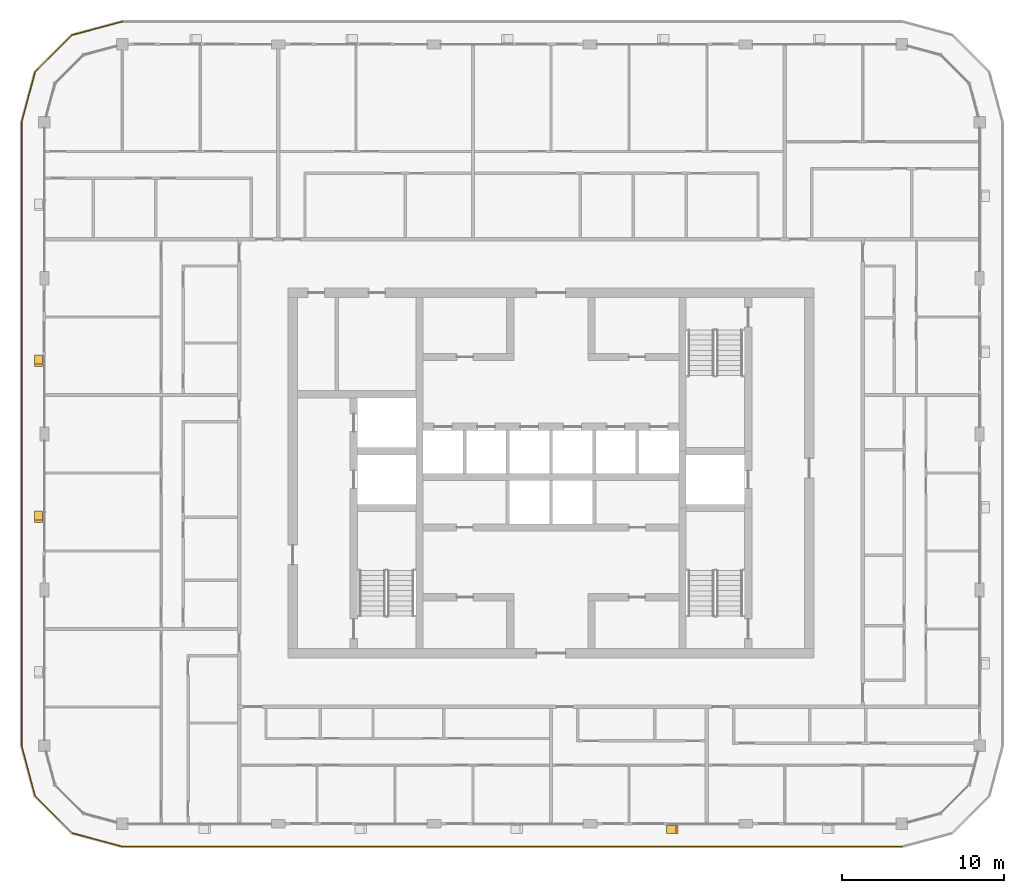
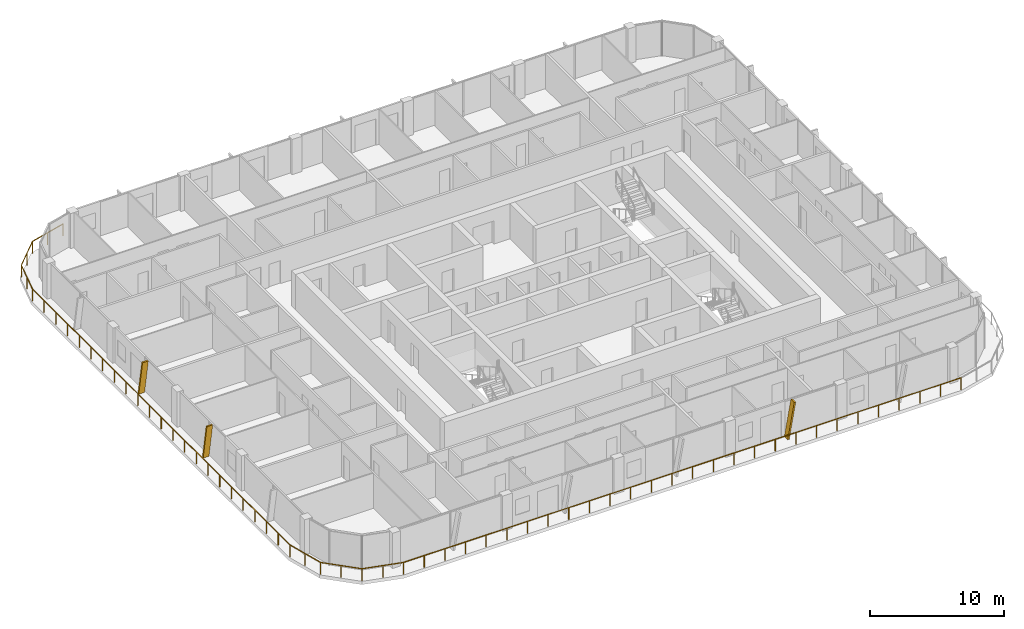
# One storey, part 17 of 21: 3 shading devices, 1 railing.
"""IFC4 building model written with IfcOpenShell, lengths in metres."""

from ifc_helpers import new_model, si_unit, direction, frame, origin, origin_2d, place, context, subcontext, project, spatial, polyline, circle, outline, extrude, material, type_object, element, save


model = new_model("IFC4")

# Units and contexts
model_context = context("Model", 3, precision=1e-05, world=origin(), true_north=direction((0.0, 1.0)))
body_context = subcontext(model_context, "Body", "Model", "MODEL_VIEW")
ifc_project = project(units=[si_unit("LENGTHUNIT", "METRE"), si_unit("AREAUNIT", "SQUARE_METRE"), si_unit("VOLUMEUNIT", "CUBIC_METRE"), si_unit("PLANEANGLEUNIT", "RADIAN"), si_unit("MASSUNIT", "GRAM", prefix="KILO")], contexts=[model_context])

# Site, building, storey
site_placement = place(None, origin())
site = spatial("IfcSite", under=ifc_project, at=site_placement, CompositionType="ELEMENT")
building_placement = place(site_placement, origin())
building = spatial("IfcBuilding", under=site, at=building_placement, Name="Madar Terraces", CompositionType="ELEMENT")
storey_placement = place(building_placement, frame((0.0, 0.0, 242.199951171875)))
storey = spatial("IfcBuildingStorey", under=building, at=storey_placement, Name="L63", CompositionType="ELEMENT", Elevation=242.199951171875)

# Railing
ifc_material_1 = material(Name="Glass, safety glazing, with stainless steel posts", Category="steel")
railing_type = type_object("IfcRailingType", Name="Balcony glass guard 1100", PredefinedType="GUARDRAIL", material=ifc_material_1)
railing_placement = place(storey_placement, frame((4.800048828125, 54.199951171875, 0.0)))
element("IfcRailing", 1, at=railing_placement, inside=storey, type_object=railing_type, Name="Balcony guard", PredefinedType="GUARDRAIL", context=body_context, shape_type="SweptSolid", body=[
    extrude(circle(Radius=0.02392578125, at=origin_2d()), frame((0.0, 0.0, 1.076171875), z_axis=(-0.9659337912, -0.258789317819, 0.0), x_axis=(0.258789317819, -0.9659337912, 0.0)), (0.0, 0.0, 1.0), 3.20947265625),
    extrude(circle(Radius=0.02392578125, at=origin_2d()), frame((-3.10009765625, -0.83056640625, 1.076171875), z_axis=(-0.707106781187, -0.707106781187, 0.0), x_axis=(0.707106781187, -0.707106781187, 0.0)), (0.0, 0.0, 1.0), 3.209228515625),
    extrude(circle(Radius=0.02392578125, at=origin_2d()), frame((-5.369384765625, -3.099853515625, 1.076171875), z_axis=(-0.258789317819, -0.9659337912, 0.0), x_axis=(0.9659337912, -0.258789317819, 0.0)), (0.0, 0.0, 1.0), 3.20947265625),
    extrude(circle(Radius=0.02392578125, at=origin_2d()), frame((-6.199951171875, -6.199951171875, 1.076171875), z_axis=(0.0, -1.0, 0.0), x_axis=(1.0, 0.0, 0.0)), (0.0, 0.0, 1.0), 38.39990234375),
    extrude(circle(Radius=0.02392578125, at=origin_2d()), frame((-6.199951171875, -44.599853515625, 1.076171875), z_axis=(0.258789317819, -0.9659337912, 0.0), x_axis=(0.9659337912, 0.258789317819, 0.0)), (0.0, 0.0, 1.0), 3.20947265625),
    extrude(circle(Radius=0.02392578125, at=origin_2d()), frame((-5.369384765625, -47.699951171875, 1.076171875), z_axis=(0.707106781187, -0.707106781187, 0.0), x_axis=(0.707106781187, 0.707106781187, 0.0)), (0.0, 0.0, 1.0), 3.209228515625),
    extrude(circle(Radius=0.02392578125, at=origin_2d()), frame((-3.10009765625, -49.96923828125, 1.076171875), z_axis=(0.965914773555, -0.258860290944, 0.0), x_axis=(0.258860290944, 0.965914773555, 0.0)), (0.0, 0.0, 1.0), 3.20947265625),
    extrude(circle(Radius=0.02392578125, at=origin_2d()), frame((0.0, -50.800048828125, 1.076171875), z_axis=(1.0, 0.0, 0.0), x_axis=(0.0, 1.0, 0.0)), (0.0, 0.0, 1.0), 48.0),
    extrude(circle(Radius=0.02099609375, at=origin_2d()), origin(), (0.0, 0.0, 1.0), 1.052001953125),
    extrude(circle(Radius=0.02099609375, at=origin_2d()), frame((-1.550048828125, -0.415283203125, 0.0)), (0.0, 0.0, 1.0), 1.052001953125),
    extrude(circle(Radius=0.02099609375, at=origin_2d()), frame((-3.10009765625, -0.83056640625, 0.0)), (0.0, 0.0, 1.0), 1.052001953125),
    extrude(circle(Radius=0.02099609375, at=origin_2d()), frame((-4.23486328125, -1.96533203125, 0.0)), (0.0, 0.0, 1.0), 1.052001953125),
    extrude(circle(Radius=0.02099609375, at=origin_2d()), frame((-5.369384765625, -3.099853515625, 0.0)), (0.0, 0.0, 1.0), 1.052001953125),
    extrude(circle(Radius=0.02099609375, at=origin_2d()), frame((-5.78466796875, -4.64990234375, 0.0)), (0.0, 0.0, 1.0), 1.052001953125),
    extrude(circle(Radius=0.02099609375, at=origin_2d()), frame((-6.199951171875, -6.199951171875, 0.0)), (0.0, 0.0, 1.0), 1.052001953125),
    extrude(circle(Radius=0.02099609375, at=origin_2d()), frame((-6.199951171875, -7.9453125, 0.0)), (0.0, 0.0, 1.0), 1.052001953125),
    extrude(circle(Radius=0.02099609375, at=origin_2d()), frame((-6.199951171875, -9.69091796875, 0.0)), (0.0, 0.0, 1.0), 1.052001953125),
    extrude(circle(Radius=0.02099609375, at=origin_2d()), frame((-6.199951171875, -11.436279296875, 0.0)), (0.0, 0.0, 1.0), 1.052001953125),
    extrude(circle(Radius=0.02099609375, at=origin_2d()), frame((-6.199951171875, -13.181640625, 0.0)), (0.0, 0.0, 1.0), 1.052001953125),
    extrude(circle(Radius=0.02099609375, at=origin_2d()), frame((-6.199951171875, -14.92724609375, 0.0)), (0.0, 0.0, 1.0), 1.052001953125),
    extrude(circle(Radius=0.02099609375, at=origin_2d()), frame((-6.199951171875, -16.672607421875, 0.0)), (0.0, 0.0, 1.0), 1.052001953125),
    extrude(circle(Radius=0.02099609375, at=origin_2d()), frame((-6.199951171875, -18.418212890625, 0.0)), (0.0, 0.0, 1.0), 1.052001953125),
    extrude(circle(Radius=0.02099609375, at=origin_2d()), frame((-6.199951171875, -20.16357421875, 0.0)), (0.0, 0.0, 1.0), 1.052001953125),
    extrude(circle(Radius=0.02099609375, at=origin_2d()), frame((-6.199951171875, -21.908935546875, 0.0)), (0.0, 0.0, 1.0), 1.052001953125),
    extrude(circle(Radius=0.02099609375, at=origin_2d()), frame((-6.199951171875, -23.654541015625, 0.0)), (0.0, 0.0, 1.0), 1.052001953125),
    extrude(circle(Radius=0.02099609375, at=origin_2d()), frame((-6.199951171875, -25.39990234375, 0.0)), (0.0, 0.0, 1.0), 1.052001953125),
    extrude(circle(Radius=0.02099609375, at=origin_2d()), frame((-6.199951171875, -27.145263671875, 0.0)), (0.0, 0.0, 1.0), 1.052001953125),
    extrude(circle(Radius=0.02099609375, at=origin_2d()), frame((-6.199951171875, -28.890869140625, 0.0)), (0.0, 0.0, 1.0), 1.052001953125),
    extrude(circle(Radius=0.02099609375, at=origin_2d()), frame((-6.199951171875, -30.63623046875, 0.0)), (0.0, 0.0, 1.0), 1.052001953125),
    extrude(circle(Radius=0.02099609375, at=origin_2d()), frame((-6.199951171875, -32.381591796875, 0.0)), (0.0, 0.0, 1.0), 1.052001953125),
    extrude(circle(Radius=0.02099609375, at=origin_2d()), frame((-6.199951171875, -34.127197265625, 0.0)), (0.0, 0.0, 1.0), 1.052001953125),
    extrude(circle(Radius=0.02099609375, at=origin_2d()), frame((-6.199951171875, -35.87255859375, 0.0)), (0.0, 0.0, 1.0), 1.052001953125),
    extrude(circle(Radius=0.02099609375, at=origin_2d()), frame((-6.199951171875, -37.6181640625, 0.0)), (0.0, 0.0, 1.0), 1.052001953125),
    extrude(circle(Radius=0.02099609375, at=origin_2d()), frame((-6.199951171875, -39.363525390625, 0.0)), (0.0, 0.0, 1.0), 1.052001953125),
    extrude(circle(Radius=0.02099609375, at=origin_2d()), frame((-6.199951171875, -41.10888671875, 0.0)), (0.0, 0.0, 1.0), 1.052001953125),
    extrude(circle(Radius=0.02099609375, at=origin_2d()), frame((-6.199951171875, -42.8544921875, 0.0)), (0.0, 0.0, 1.0), 1.052001953125),
    extrude(circle(Radius=0.02099609375, at=origin_2d()), frame((-6.199951171875, -44.599853515625, 0.0)), (0.0, 0.0, 1.0), 1.052001953125),
    extrude(circle(Radius=0.02099609375, at=origin_2d()), frame((-5.78466796875, -46.14990234375, 0.0)), (0.0, 0.0, 1.0), 1.052001953125),
    extrude(circle(Radius=0.02099609375, at=origin_2d()), frame((-5.369384765625, -47.699951171875, 0.0)), (0.0, 0.0, 1.0), 1.052001953125),
    extrude(circle(Radius=0.02099609375, at=origin_2d()), frame((-4.23486328125, -48.83447265625, 0.0)), (0.0, 0.0, 1.0), 1.052001953125),
    extrude(circle(Radius=0.02099609375, at=origin_2d()), frame((-3.10009765625, -49.96923828125, 0.0)), (0.0, 0.0, 1.0), 1.052001953125),
    extrude(circle(Radius=0.02099609375, at=origin_2d()), frame((-1.550048828125, -50.384765625, 0.0)), (0.0, 0.0, 1.0), 1.052001953125),
    extrude(circle(Radius=0.02099609375, at=origin_2d()), frame((0.0, -50.800048828125, 0.0)), (0.0, 0.0, 1.0), 1.052001953125),
    extrude(circle(Radius=0.02099609375, at=origin_2d()), frame((1.77783203125, -50.800048828125, 0.0)), (0.0, 0.0, 1.0), 1.052001953125),
    extrude(circle(Radius=0.02099609375, at=origin_2d()), frame((3.5556640625, -50.800048828125, 0.0)), (0.0, 0.0, 1.0), 1.052001953125),
    extrude(circle(Radius=0.02099609375, at=origin_2d()), frame((5.333251953125, -50.800048828125, 0.0)), (0.0, 0.0, 1.0), 1.052001953125),
    extrude(circle(Radius=0.02099609375, at=origin_2d()), frame((7.111083984375, -50.800048828125, 0.0)), (0.0, 0.0, 1.0), 1.052001953125),
    extrude(circle(Radius=0.02099609375, at=origin_2d()), frame((8.888916015625, -50.800048828125, 0.0)), (0.0, 0.0, 1.0), 1.052001953125),
    extrude(circle(Radius=0.02099609375, at=origin_2d()), frame((10.666748046875, -50.800048828125, 0.0)), (0.0, 0.0, 1.0), 1.052001953125),
    extrude(circle(Radius=0.02099609375, at=origin_2d()), frame((12.4443359375, -50.800048828125, 0.0)), (0.0, 0.0, 1.0), 1.052001953125),
    extrude(circle(Radius=0.02099609375, at=origin_2d()), frame((14.22216796875, -50.800048828125, 0.0)), (0.0, 0.0, 1.0), 1.052001953125),
    extrude(circle(Radius=0.02099609375, at=origin_2d()), frame((16.0, -50.800048828125, 0.0)), (0.0, 0.0, 1.0), 1.052001953125),
    extrude(circle(Radius=0.02099609375, at=origin_2d()), frame((17.77783203125, -50.800048828125, 0.0)), (0.0, 0.0, 1.0), 1.052001953125),
    extrude(circle(Radius=0.02099609375, at=origin_2d()), frame((19.5556640625, -50.800048828125, 0.0)), (0.0, 0.0, 1.0), 1.052001953125),
    extrude(circle(Radius=0.02099609375, at=origin_2d()), frame((21.333251953125, -50.800048828125, 0.0)), (0.0, 0.0, 1.0), 1.052001953125),
    extrude(circle(Radius=0.02099609375, at=origin_2d()), frame((23.111083984375, -50.800048828125, 0.0)), (0.0, 0.0, 1.0), 1.052001953125),
    extrude(circle(Radius=0.02099609375, at=origin_2d()), frame((24.888916015625, -50.800048828125, 0.0)), (0.0, 0.0, 1.0), 1.052001953125),
    extrude(circle(Radius=0.02099609375, at=origin_2d()), frame((26.666748046875, -50.800048828125, 0.0)), (0.0, 0.0, 1.0), 1.052001953125),
    extrude(circle(Radius=0.02099609375, at=origin_2d()), frame((28.4443359375, -50.800048828125, 0.0)), (0.0, 0.0, 1.0), 1.052001953125),
    extrude(circle(Radius=0.02099609375, at=origin_2d()), frame((30.22216796875, -50.800048828125, 0.0)), (0.0, 0.0, 1.0), 1.052001953125),
    extrude(circle(Radius=0.02099609375, at=origin_2d()), frame((32.0, -50.800048828125, 0.0)), (0.0, 0.0, 1.0), 1.052001953125),
    extrude(circle(Radius=0.02099609375, at=origin_2d()), frame((33.77783203125, -50.800048828125, 0.0)), (0.0, 0.0, 1.0), 1.052001953125),
    extrude(circle(Radius=0.02099609375, at=origin_2d()), frame((35.5556640625, -50.800048828125, 0.0)), (0.0, 0.0, 1.0), 1.052001953125),
    extrude(circle(Radius=0.02099609375, at=origin_2d()), frame((37.333251953125, -50.800048828125, 0.0)), (0.0, 0.0, 1.0), 1.052001953125),
    extrude(circle(Radius=0.02099609375, at=origin_2d()), frame((39.111083984375, -50.800048828125, 0.0)), (0.0, 0.0, 1.0), 1.052001953125),
    extrude(circle(Radius=0.02099609375, at=origin_2d()), frame((40.888916015625, -50.800048828125, 0.0)), (0.0, 0.0, 1.0), 1.052001953125),
    extrude(circle(Radius=0.02099609375, at=origin_2d()), frame((42.666748046875, -50.800048828125, 0.0)), (0.0, 0.0, 1.0), 1.052001953125),
    extrude(circle(Radius=0.02099609375, at=origin_2d()), frame((44.4443359375, -50.800048828125, 0.0)), (0.0, 0.0, 1.0), 1.052001953125),
    extrude(circle(Radius=0.02099609375, at=origin_2d()), frame((46.22216796875, -50.800048828125, 0.0)), (0.0, 0.0, 1.0), 1.052001953125),
    extrude(circle(Radius=0.02099609375, at=origin_2d()), frame((48.0, -50.800048828125, 0.0)), (0.0, 0.0, 1.0), 1.052001953125),
])

# Shading devices
ifc_material_2 = material(Name="Aluminium, black anodised", Category="aluminium")
shading_device_type = type_object("IfcShadingDeviceType", Name="Facade fin blade 140 x 500", PredefinedType="USERDEFINED", material=ifc_material_2)
for number, where, z_axis, x_axis, name in (
    (2, (38.330078125, 4.449951171875, 0.0), (0.0, 0.0, 1.0), (1.0, 0.0, 0.0), "FIN L63 S4"),
    (3, (-0.35009765625, 33.669921875, 0.0), (0.0, 0.0, 1.0), (0.0, -1.0, 0.0), "FIN L63 W2"),
):
    element("IfcShadingDevice", number, at=place(storey_placement, frame(where, z_axis=z_axis, x_axis=x_axis)), inside=storey, type_object=shading_device_type, Name=name, ObjectType="FIN", PredefinedType="USERDEFINED", context=body_context, shape_type="SweptSolid", body=[
        extrude(outline(polyline([(0.0, 0.0), (0.139892578125, 0.0), (0.704345703125, 3.199951171875), (0.564208984375, 3.199951171875), (0.0, 0.0)])), frame((0.0, 0.25, 0.0), z_axis=(0.0, -1.0, 0.0), x_axis=(1.0, 0.0, 0.0)), (0.0, 0.0, 1.0), 0.5),
    ])
shading_device_placement = place(storey_placement, frame((-0.35009765625, 24.070068359375, 0.0), z_axis=(0.0, 0.0, 1.0), x_axis=(0.0, -1.0, 0.0)))
element("IfcShadingDevice", 4, at=shading_device_placement, inside=storey, type_object=shading_device_type, Name="FIN L63 W3", ObjectType="FIN", PredefinedType="USERDEFINED", context=body_context, shape_type="SweptSolid", body=[
    extrude(outline(polyline([(0.0, 0.0), (0.14013671875, 0.0), (0.704345703125, 3.199951171875), (0.564208984375, 3.199951171875), (0.0, 0.0)])), frame((0.0, 0.25, 0.0), z_axis=(0.0, -1.0, 0.0), x_axis=(1.0, 0.0, 0.0)), (0.0, 0.0, 1.0), 0.5),
])

save(model, "model.ifc")
